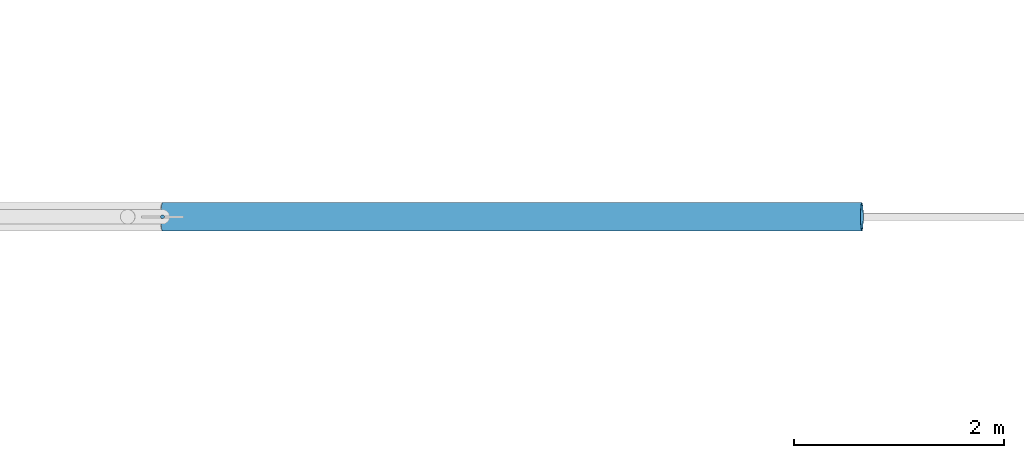
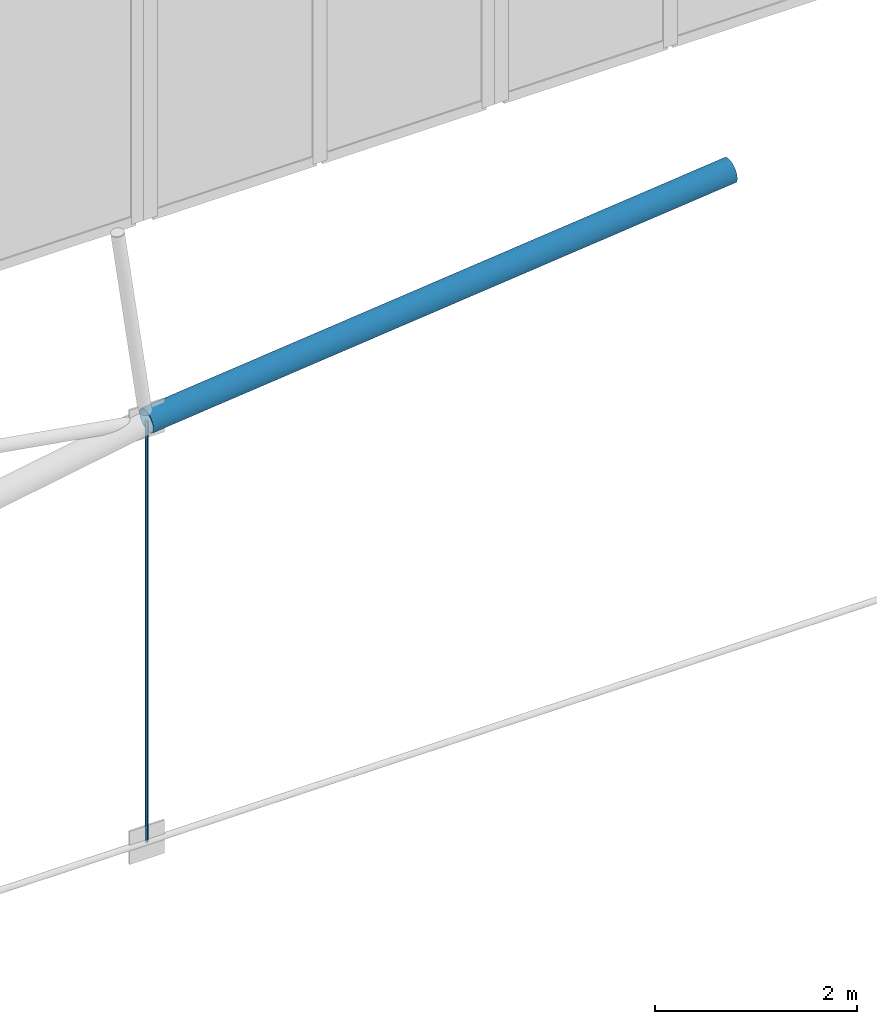
# One storey, part 171 of 321: 2 members.
"""IFC4 building model written with IfcOpenShell, lengths in metres."""

from ifc_helpers import new_model, si_unit, direction, frame, origin, origin_2d, place, context, subcontext, project, spatial, circle, hollow_circle, extrude, material, material_profile, profile_set, type_object, element, save


model = new_model("IFC4")

# Units and contexts
model_context = context("Model", 3, precision=1e-05, world=origin(), true_north=direction((0.0, 1.0)))
body_context = subcontext(model_context, "Body", "Model", "MODEL_VIEW")
ifc_project = project(units=[si_unit("LENGTHUNIT", "METRE"), si_unit("AREAUNIT", "SQUARE_METRE"), si_unit("VOLUMEUNIT", "CUBIC_METRE"), si_unit("PLANEANGLEUNIT", "RADIAN"), si_unit("MASSUNIT", "GRAM", prefix="KILO")], contexts=[model_context])

# Site, building, storey
site_placement = place(None, origin())
site = spatial("IfcSite", under=ifc_project, at=site_placement, CompositionType="ELEMENT")
building_placement = place(site_placement, origin())
building = spatial("IfcBuilding", under=site, at=building_placement, Name="Ravi Spectrum Wholesale Market", CompositionType="ELEMENT")
storey_placement = place(building_placement, frame((0.0, 0.0, 10.800048828125)))
storey = spatial("IfcBuildingStorey", under=building, at=storey_placement, Name="L02", CompositionType="ELEMENT", Elevation=10.800048828125)

# Members
ifc_material_1 = material(Name="Steel S355", Category="steel")
ifc_material_profile_1 = material_profile(ifc_material_1, hollow_circle(Radius=0.136474609375, WallThickness=0.010009765625, at=origin_2d()))
ifc_profile_set_1 = profile_set([ifc_material_profile_1], Name="Steel S355")
member_type_1 = type_object("IfcMemberType", Name="CHS 273x10 chord", PredefinedType="CHORD", material=ifc_profile_set_1)
member_1_placement = place(storey_placement, frame((56.648193359375, 186.0, 5.1025390625), z_axis=(0.994646786479, 0.0, 0.103333296414), x_axis=(0.0, 1.0, 0.0)))
element("IfcMember", 1, at=member_1_placement, inside=storey, type_object=member_type_1, Name="H1-MB-L02-1100", PredefinedType="CHORD", context=body_context, shape_type="SweptSolid", body=[
    extrude(hollow_circle(Radius=0.136474609375, WallThickness=0.010009765625, at=origin_2d()), origin(), (0.0, 0.0, 1.0), 6.69580078125),
])
ifc_material_2 = material(Name="Steel S355", Category="steel")
ifc_material_profile_2 = material_profile(ifc_material_2, circle(Radius=0.01806640625, at=origin_2d()))
ifc_profile_set_2 = profile_set([ifc_material_profile_2], Name="Steel S355")
member_type_2 = type_object("IfcMemberType", Name="ROD 36 hanger", PredefinedType="STRUT", material=ifc_profile_set_2)
member_2_placement = place(storey_placement, frame((56.648193359375, 186.0, 0.023193359375), z_axis=(0.0, 0.0, 1.0), x_axis=(1.0, 0.0, 0.0)))
element("IfcMember", 2, at=member_2_placement, inside=storey, type_object=member_type_2, Name="H1-MB-L02-1131", PredefinedType="STRUT", context=body_context, shape_type="SweptSolid", body=[
    extrude(circle(Radius=0.01806640625, at=origin_2d()), origin(), (0.0, 0.0, 1.0), 5.079345703125),
])

save(model, "model.ifc")
